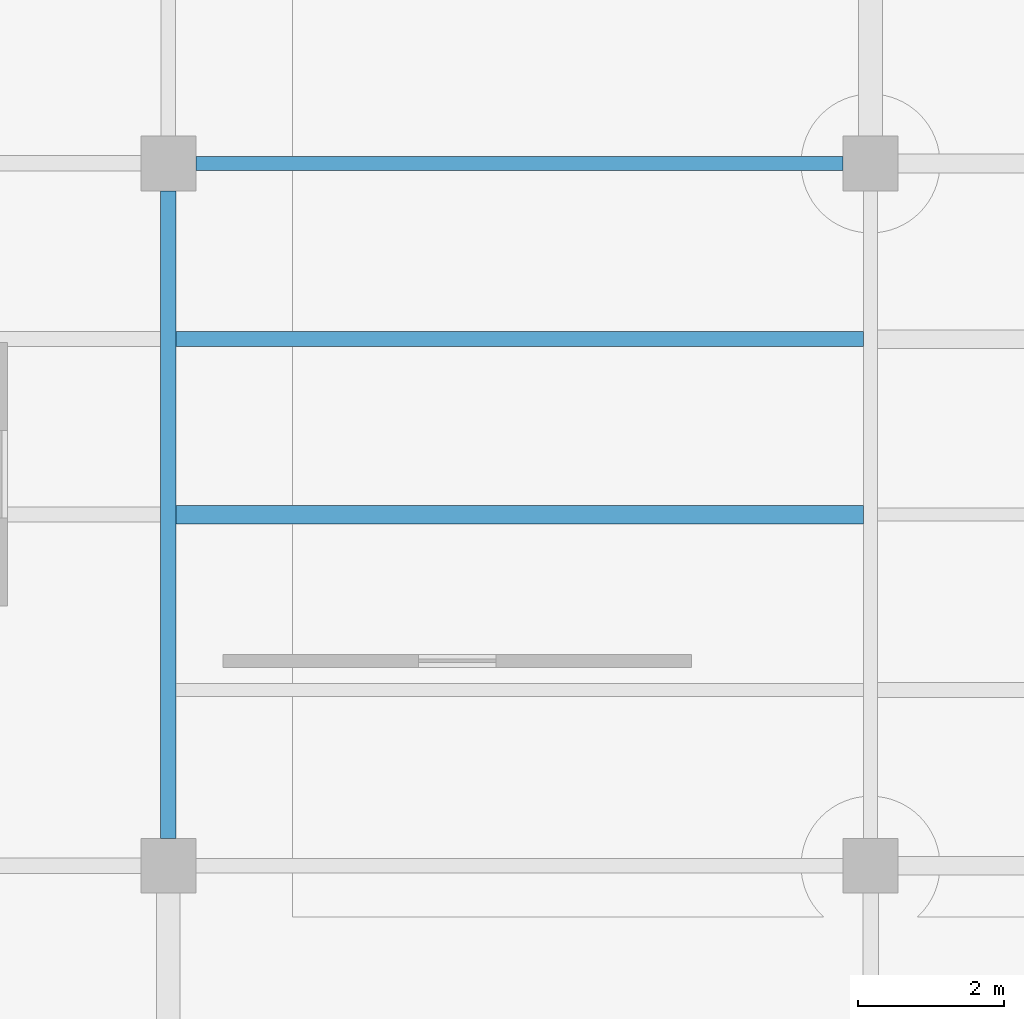
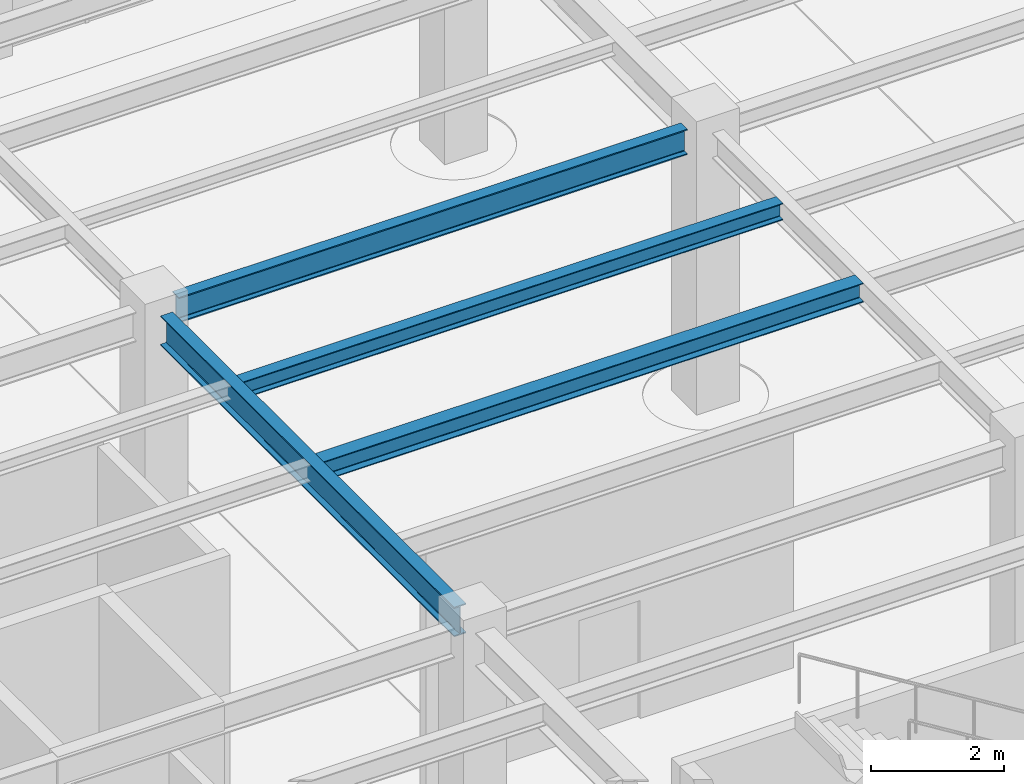
# One storey, part 71 of 164: 4 beams.
"""IFC4 building model written with IfcOpenShell, lengths in metres."""

from ifc_helpers import new_model, si_unit, direction, frame, origin, origin_2d, place, context, subcontext, project, spatial, i_section, extrude, material, material_profile, profile_set, type_object, element, save


model = new_model("IFC4")

# Units and contexts
model_context = context("Model", 3, precision=1e-05, world=origin(), true_north=direction((0.0, 1.0)))
body_context = subcontext(model_context, "Body", "Model", "MODEL_VIEW")
ifc_project = project(units=[si_unit("LENGTHUNIT", "METRE"), si_unit("AREAUNIT", "SQUARE_METRE"), si_unit("VOLUMEUNIT", "CUBIC_METRE"), si_unit("PLANEANGLEUNIT", "RADIAN"), si_unit("MASSUNIT", "GRAM", prefix="KILO")], contexts=[model_context])

# Site, building, storey
site_placement = place(None, origin())
site = spatial("IfcSite", under=ifc_project, at=site_placement, CompositionType="ELEMENT")
building_placement = place(site_placement, origin())
building = spatial("IfcBuilding", under=site, at=building_placement, Name="Mavantir Sound Aquarium", CompositionType="ELEMENT")
storey_placement = place(building_placement, origin())
storey = spatial("IfcBuildingStorey", under=building, at=storey_placement, Name="L00", CompositionType="ELEMENT", Elevation=0.0)

# Beams
ifc_material = material(Name="Structural Steel ASTM A992 Gr50", Category="steel")
ifc_material_profile_1 = material_profile(ifc_material, i_section(OverallWidth=0.205078125, OverallDepth=0.31005859375, WebThickness=0.009521484375, FlangeThickness=0.016357421875, FilletRadius=0.012939453125, at=origin_2d()), Name="W310X74")
ifc_profile_set_1 = profile_set([ifc_material_profile_1], Name="Structural Steel ASTM A992 Gr50")
beam_type_1 = type_object("IfcBeamType", Name="BM-W310X74-I", PredefinedType="JOIST", material=ifc_profile_set_1)
beam_1_placement = place(storey_placement, frame((9.7060546875, 100.39990234375, 4.94091796875), z_axis=(1.0, 0.0, 0.0), x_axis=(0.0, 1.0, 0.0)))
element("IfcBeam", 1, at=beam_1_placement, inside=storey, type_object=beam_type_1, Name="L00 secondary floor joist SJ-31 587", PredefinedType="JOIST", context=body_context, shape_type="SweptSolid", body=[
    extrude(i_section(OverallWidth=0.205078125, OverallDepth=0.31005859375, WebThickness=0.009521484375, FlangeThickness=0.016357421875, FilletRadius=0.012939453125, at=origin_2d()), origin(), (0.0, 0.0, 1.0), 9.39697265625),
])
ifc_material_profile_2 = material_profile(ifc_material, i_section(OverallWidth=0.25390625, OverallDepth=0.35302734375, WebThickness=0.009521484375, FlangeThickness=0.016357421875, FilletRadius=0.014892578125, at=origin_2d()), Name="W360X91")
ifc_profile_set_2 = profile_set([ifc_material_profile_2], Name="Structural Steel ASTM A992 Gr50")
beam_type_2 = type_object("IfcBeamType", Name="BM-W360X91-I", PredefinedType="JOIST", material=ifc_profile_set_2)
beam_2_placement = place(storey_placement, frame((9.7060546875, 98.0, 4.91943359375), z_axis=(1.0, 0.0, 0.0), x_axis=(0.0, 1.0, 0.0)))
element("IfcBeam", 2, at=beam_2_placement, inside=storey, type_object=beam_type_2, Name="L00 secondary floor joist SJ-36 586", PredefinedType="JOIST", context=body_context, shape_type="SweptSolid", body=[
    extrude(i_section(OverallWidth=0.25390625, OverallDepth=0.35302734375, WebThickness=0.009521484375, FlangeThickness=0.016357421875, FilletRadius=0.014892578125, at=origin_2d()), origin(), (0.0, 0.0, 1.0), 9.39697265625),
])
ifc_material_profile_3 = material_profile(ifc_material, i_section(OverallWidth=0.194091796875, OverallDepth=0.468994140625, WebThickness=0.0126953125, FlangeThickness=0.0205078125, FilletRadius=0.01611328125, at=origin_2d()), Name="W460X106")
ifc_profile_set_3 = profile_set([ifc_material_profile_3], Name="Structural Steel ASTM A992 Gr50")
beam_type_3 = type_object("IfcBeamType", Name="BM-W460X106-I", PredefinedType="BEAM", material=ifc_profile_set_3)
beam_3_placement = place(storey_placement, frame((9.97509765625, 102.800048828125, 4.861572265625), z_axis=(1.0, 0.0, 0.0), x_axis=(0.0, 1.0, 0.0)))
element("IfcBeam", 3, at=beam_3_placement, inside=storey, type_object=beam_type_3, Name="L00 primary beam SB-46 1039", PredefinedType="BEAM", context=body_context, shape_type="SweptSolid", body=[
    extrude(i_section(OverallWidth=0.194091796875, OverallDepth=0.468994140625, WebThickness=0.0126953125, FlangeThickness=0.0205078125, FilletRadius=0.01611328125, at=origin_2d()), origin(), (0.0, 0.0, 1.0), 8.849853515625),
])
ifc_material_profile_4 = material_profile(ifc_material, i_section(OverallWidth=0.2119140625, OverallDepth=0.5439453125, WebThickness=0.01318359375, FlangeThickness=0.021240234375, FilletRadius=0.01806640625, at=origin_2d()), Name="W530X123")
ifc_profile_set_4 = profile_set([ifc_material_profile_4], Name="Structural Steel ASTM A992 Gr50")
beam_type_4 = type_object("IfcBeamType", Name="BM-W530X123-I", PredefinedType="BEAM", material=ifc_profile_set_4)
beam_4_placement = place(storey_placement, frame((9.60009765625, 93.574951171875, 4.823974609375), z_axis=(0.0, 1.0, 0.0), x_axis=(-1.0, 0.0, 0.0)))
element("IfcBeam", 4, at=beam_4_placement, inside=storey, type_object=beam_type_4, Name="L00 primary girder SB-53 1055", PredefinedType="BEAM", context=body_context, shape_type="SweptSolid", body=[
    extrude(i_section(OverallWidth=0.2119140625, OverallDepth=0.5439453125, WebThickness=0.01318359375, FlangeThickness=0.021240234375, FilletRadius=0.01806640625, at=origin_2d()), origin(), (0.0, 0.0, 1.0), 8.85009765625),
])

save(model, "model.ifc")
